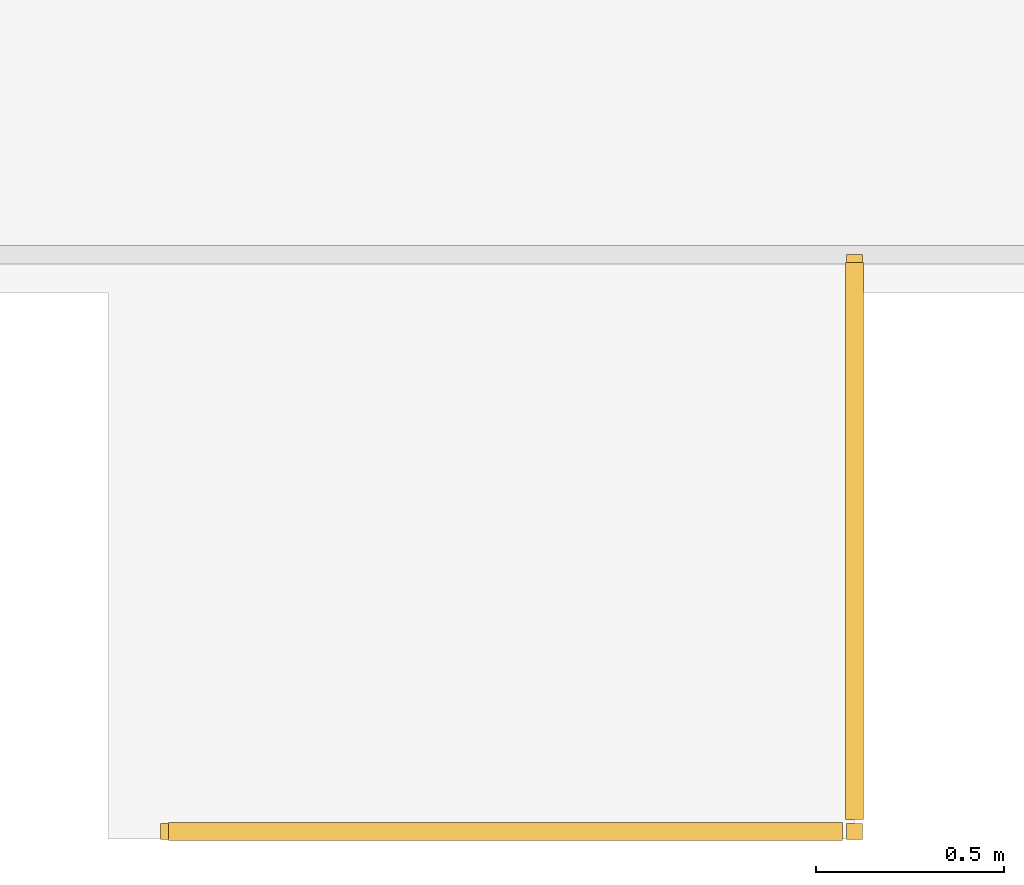
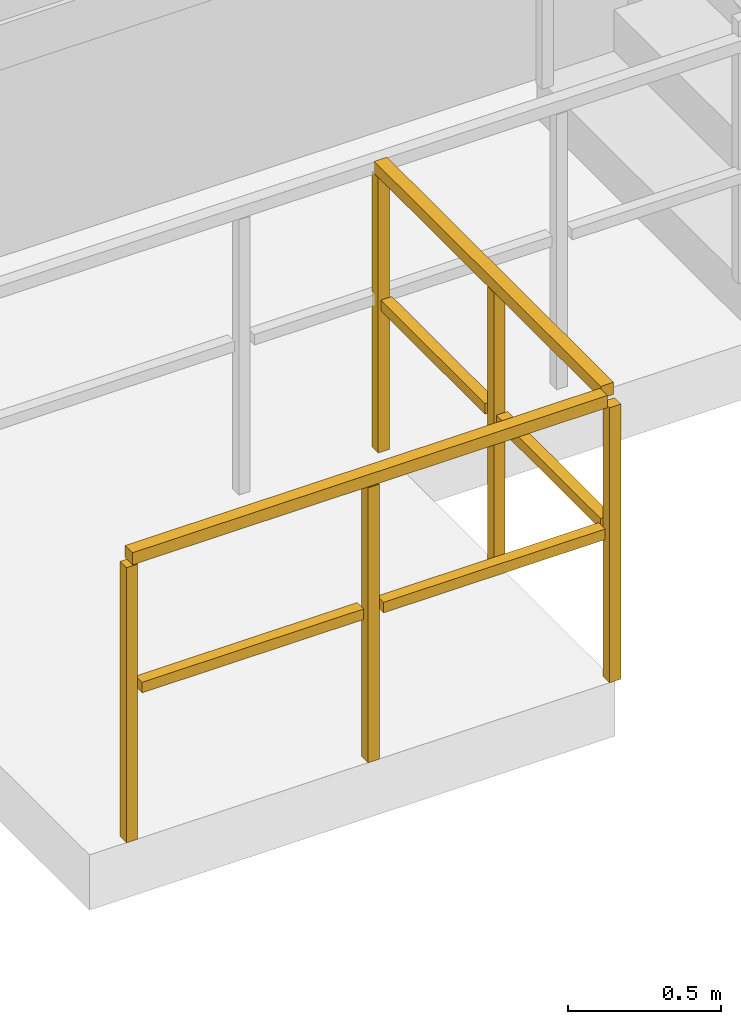
# One storey, part 19 of 22: 1 railing.
"""IFC4 building model written with IfcOpenShell, lengths in metres."""

from ifc_helpers import new_model, si_unit, direction, frame, origin, origin_2d, place, context, subcontext, project, spatial, rectangle, extrude, material, type_object, element, save


model = new_model("IFC4")

# Units and contexts
model_context = context("Model", 3, precision=1e-05, world=origin(), true_north=direction((0.0, 1.0)))
body_context = subcontext(model_context, "Body", "Model", "MODEL_VIEW")
ifc_project = project(units=[si_unit("LENGTHUNIT", "METRE"), si_unit("AREAUNIT", "SQUARE_METRE"), si_unit("VOLUMEUNIT", "CUBIC_METRE"), si_unit("PLANEANGLEUNIT", "RADIAN"), si_unit("MASSUNIT", "GRAM", prefix="KILO")], contexts=[model_context])

# Site, building, storey
site_placement = place(None, origin())
site = spatial("IfcSite", under=ifc_project, at=site_placement, CompositionType="ELEMENT")
building_placement = place(site_placement, origin())
building = spatial("IfcBuilding", under=site, at=building_placement, Name="Thornwick Lancets Civic Towers", CompositionType="ELEMENT")
storey_placement = place(building_placement, frame((0.0, 0.0, 4.800048828125)))
storey = spatial("IfcBuildingStorey", under=building, at=storey_placement, Name="L01", CompositionType="ELEMENT", Elevation=4.800048828125)

# Railing
ifc_material = material(Name="Terracotta-capped laminated glass balustrade S355", Category="masonry")
railing_type = type_object("IfcRailingType", Name="RAIL_TERR_GUARD", PredefinedType="GUARDRAIL", material=ifc_material)
railing_placement = place(storey_placement, frame((53.300048828125, 3.070068359375, 0.0)))
element("IfcRailing", 1, at=railing_placement, inside=storey, type_object=railing_type, Name="L01 Garden Stair Landing Guard", PredefinedType="GUARDRAIL", context=body_context, shape_type="SweptSolid", body=[
    extrude(rectangle(XDim=0.048095703125, YDim=0.048095703125, at=origin_2d()), frame((0.0, 0.0, 1.1259765625), z_axis=(1.0, 0.0, 0.0), x_axis=(0.0, 1.0, 0.0)), (0.0, 0.0, 1.0), 1.788818359375),
    extrude(rectangle(XDim=0.0419921875, YDim=0.0419921875, at=origin_2d()), frame((0.03759765625, 0.0, 0.597900390625), z_axis=(1.0, 0.0, 0.0), x_axis=(0.0, 1.0, 0.0)), (0.0, 0.0, 1.0), 0.8349609375),
    extrude(rectangle(XDim=0.0419921875, YDim=0.0419921875, at=origin_2d()), frame((0.947509765625, 0.0, 0.597900390625), z_axis=(1.0, 0.0, 0.0), x_axis=(0.0, 1.0, 0.0)), (0.0, 0.0, 1.0), 0.8349609375),
    extrude(rectangle(XDim=0.048095703125, YDim=0.048095703125, at=origin_2d()), frame((1.820068359375, 0.03125, 1.1259765625), z_axis=(0.0, 1.0, 0.0), x_axis=(-1.0, 0.0, 0.0)), (0.0, 0.0, 1.0), 1.478759765625),
    extrude(rectangle(XDim=0.0419921875, YDim=0.0419921875, at=origin_2d()), frame((1.820068359375, 0.03759765625, 0.597900390625), z_axis=(0.0, 1.0, 0.0), x_axis=(-1.0, 0.0, 0.0)), (0.0, 0.0, 1.0), 0.679931640625),
    extrude(rectangle(XDim=0.0419921875, YDim=0.0419921875, at=origin_2d()), frame((1.820068359375, 0.79248046875, 0.597900390625), z_axis=(0.0, 1.0, 0.0), x_axis=(-1.0, 0.0, 0.0)), (0.0, 0.0, 1.0), 0.679931640625),
    extrude(rectangle(XDim=0.0419921875, YDim=0.0419921875, at=origin_2d()), origin(), (0.0, 0.0, 1.0), 1.095703125),
    extrude(rectangle(XDim=0.0419921875, YDim=0.0419921875, at=origin_2d()), frame((0.91015625, 0.0, 0.0)), (0.0, 0.0, 1.0), 1.095703125),
    extrude(rectangle(XDim=0.0419921875, YDim=0.0419921875, at=origin_2d()), frame((1.820068359375, 0.0, 0.0)), (0.0, 0.0, 1.0), 1.095703125),
    extrude(rectangle(XDim=0.0419921875, YDim=0.0419921875, at=origin_2d()), frame((1.820068359375, 0.7548828125, 0.0)), (0.0, 0.0, 1.0), 1.095703125),
    extrude(rectangle(XDim=0.0419921875, YDim=0.0419921875, at=origin_2d()), frame((1.820068359375, 1.510009765625, 0.0)), (0.0, 0.0, 1.0), 1.095703125),
])

save(model, "model.ifc")
